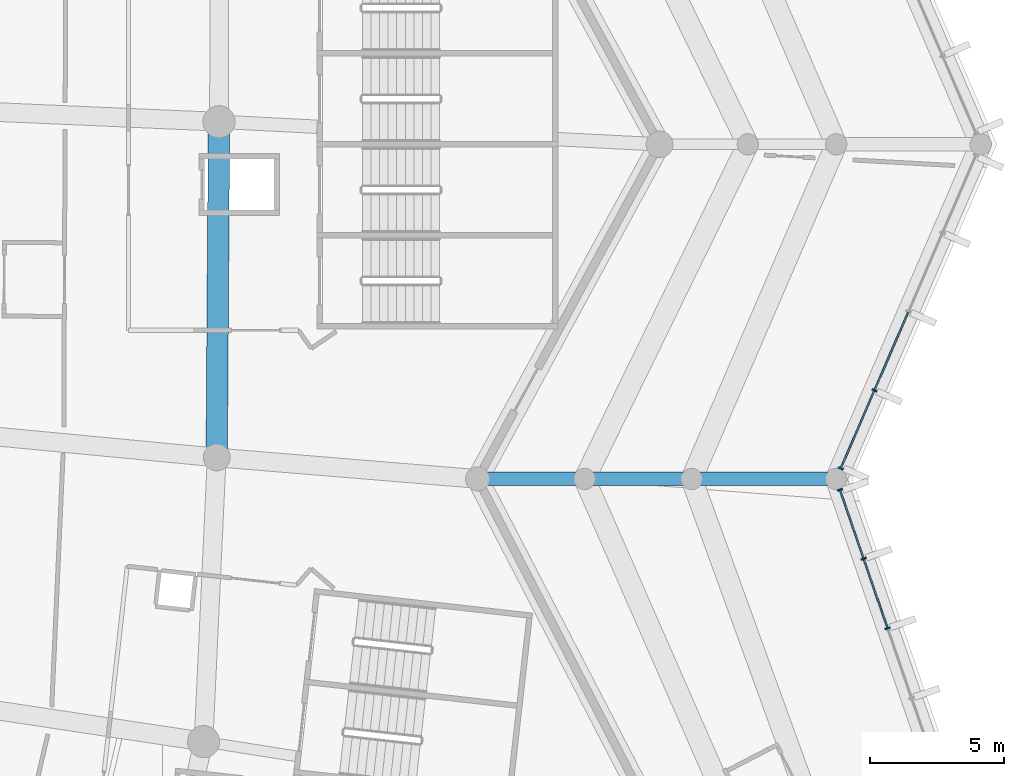
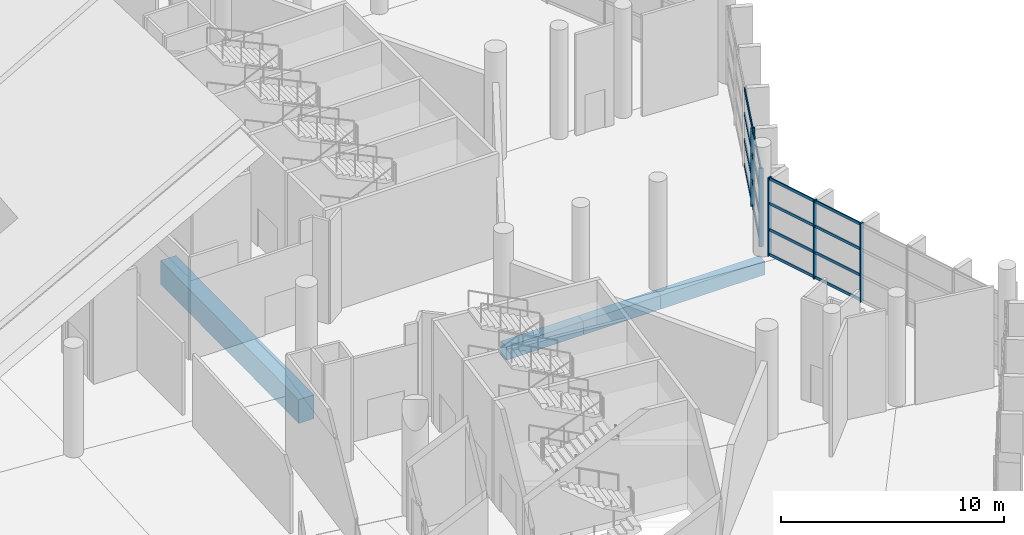
# One storey, part 45 of 249: 21 members, 4 beams, 2 elements without a shape of their own.
"""IFC4 building model written with IfcOpenShell, lengths in metres."""

from ifc_helpers import new_model, si_unit, direction, frame, origin, origin_2d, place, context, subcontext, project, spatial, rectangle, extrude, material, layer, layer_set, material_profile, profile_set, type_object, element, aggregate, save


model = new_model("IFC4")

# Units and contexts
model_context = context("Model", 3, precision=1e-05, world=origin(), true_north=direction((0.0, 1.0)))
body_context = subcontext(model_context, "Body", "Model", "MODEL_VIEW")
ifc_project = project(units=[si_unit("LENGTHUNIT", "METRE"), si_unit("AREAUNIT", "SQUARE_METRE"), si_unit("VOLUMEUNIT", "CUBIC_METRE"), si_unit("PLANEANGLEUNIT", "RADIAN"), si_unit("MASSUNIT", "GRAM", prefix="KILO")], contexts=[model_context])

# Site, building, storey
site_placement = place(None, origin())
site = spatial("IfcSite", under=ifc_project, at=site_placement, CompositionType="ELEMENT")
building_placement = place(site_placement, origin())
building = spatial("IfcBuilding", under=site, at=building_placement, Name="Meseta Stadium", CompositionType="ELEMENT")
storey_placement = place(building_placement, frame((0.0, 0.0, 12.0)))
storey = spatial("IfcBuildingStorey", under=building, at=storey_placement, Name="L02", CompositionType="ELEMENT", Elevation=12.0)

# Beams
ifc_material_1 = material(Name="Concrete C40/50", Category="concrete")
ifc_material_profile_1 = material_profile(ifc_material_1, rectangle(XDim=0.5, YDim=0.75, at=origin_2d()), Name="RC 500x750")
ifc_profile_set_1 = profile_set([ifc_material_profile_1], Name="Concrete C40/50")
beam_type_1 = type_object("IfcBeamType", Name="RC beam 500x750", PredefinedType="BEAM", material=ifc_profile_set_1)
for number, where, z_axis, x_axis, name in (
    (1, (94.60009765625, -43.75, -0.72509765625), (1.0, 0.0, 0.0), (0.0, 1.0, 0.0), "L02 radial beam frame 1 line R to M"),
    (2, (98.60009765625, -43.75, -0.72509765625), (1.0, 0.0, 0.0), (0.0, 1.0, 0.0), "L02 radial beam frame 1 line M to Q"),
):
    element("IfcBeam", number, at=place(storey_placement, frame(where, z_axis=z_axis, x_axis=x_axis)), inside=storey, type_object=beam_type_1, Name=name, PredefinedType="BEAM", context=body_context, shape_type="SweptSolid", body=[
        extrude(rectangle(XDim=0.5, YDim=0.75, at=origin_2d()), origin(), (0.0, 0.0, 1.0), 4.0),
    ])
beam_1_placement = place(storey_placement, frame((102.60009765625, -43.75, -0.72509765625), z_axis=(1.0, 0.0, 0.0), x_axis=(0.0, 1.0, 0.0)))
element("IfcBeam", 3, at=beam_1_placement, inside=storey, type_object=beam_type_1, Name="L02 radial beam frame 1 line Q to O", PredefinedType="BEAM", context=body_context, shape_type="SweptSolid", body=[
    extrude(rectangle(XDim=0.5, YDim=0.75, at=origin_2d()), origin(), (0.0, 0.0, 1.0), 5.39990234375),
])
ifc_material_2 = material(Name="Concrete C40/50", Category="concrete")
ifc_material_profile_2 = material_profile(ifc_material_2, rectangle(XDim=0.800048828125, YDim=1.300048828125, at=origin_2d()), Name="RC 800x1300")
ifc_profile_set_2 = profile_set([ifc_material_profile_2], Name="Concrete C40/50")
beam_type_2 = type_object("IfcBeamType", Name="RC beam 800x1300", PredefinedType="BEAM", material=ifc_profile_set_2)
beam_2_placement = place(storey_placement, frame((84.85400390625, -42.948486328125, -1.0), z_axis=(0.006908869398, 0.999976133477, 0.0), x_axis=(-0.999976133477, 0.006908869398, 0.0)))
element("IfcBeam", 4, at=beam_2_placement, inside=storey, type_object=beam_type_2, Name="L02 ring beam frame 1 line P", PredefinedType="BEAM", context=body_context, shape_type="SweptSolid", body=[
    extrude(rectangle(XDim=0.800048828125, YDim=1.300048828125, at=origin_2d()), origin(), (0.0, 0.0, 1.0), 12.544677734375),
])

# Curtain wall, members
ifc_material_3 = material(Name="Aluminium", Category="aluminium")
ifc_layer = layer(ifc_material_3, 0.199951171875)
ifc_layer_set = layer_set([ifc_layer], Name="Ring shopfront curtain wall")
curtain_wall_type = type_object("IfcCurtainWallType", Name="Ring shopfront curtain wall", PredefinedType="NOTDEFINED", material=ifc_layer_set)
curtain_wall_1_placement = place(storey_placement, origin())
curtain_wall_1 = element("IfcCurtainWall", 5, at=curtain_wall_1_placement, inside=storey, type_object=curtain_wall_type, Name="Ring glazing L02 F00", PredefinedType="NOTDEFINED")
ifc_material_4 = material(Name="Aluminium", Category="aluminium")
ifc_material_profile_3 = material_profile(ifc_material_4, rectangle(XDim=0.199951171875, YDim=0.06005859375, at=origin_2d()), Name="CW 200x60")
ifc_profile_set_3 = profile_set([ifc_material_profile_3], Name="Aluminium")
member_type_1 = type_object("IfcMemberType", Name="Ring CW mullion 60x200", PredefinedType="MULLION", material=ifc_profile_set_3)
member_1_placement = place(storey_placement, frame((109.92138671875, -49.33349609375, 0.0), z_axis=(0.0, 0.0, 1.0), x_axis=(-0.945581280042, -0.325385990532, 0.0)))
member_1 = element("IfcMember", 6, at=member_1_placement, type_object=member_type_1, Name="CWR1 mullion 4", PredefinedType="MULLION", context=body_context, shape_type="SweptSolid", body=[
    extrude(rectangle(XDim=0.199951171875, YDim=0.06005859375, at=origin_2d()), origin(), (0.0, 0.0, 1.0), 4.300048828125),
])
member_2_placement = place(storey_placement, frame((109.02587890625, -46.73095703125, 0.0), z_axis=(0.0, 0.0, 1.0), x_axis=(-0.945581280042, -0.325385990532, 0.0)))
member_2 = element("IfcMember", 7, at=member_2_placement, type_object=member_type_1, Name="CWR1 mullion 5", PredefinedType="MULLION", context=body_context, shape_type="SweptSolid", body=[
    extrude(rectangle(XDim=0.199951171875, YDim=0.06005859375, at=origin_2d()), origin(), (0.0, 0.0, 1.0), 4.300048828125),
])
member_3_placement = place(storey_placement, frame((108.139892578125, -44.156494140625, 0.0), z_axis=(0.0, 0.0, 1.0), x_axis=(-0.945581280042, -0.325385990532, 0.0)))
member_3 = element("IfcMember", 8, at=member_3_placement, type_object=member_type_1, Name="CWR1 mullion 6", PredefinedType="MULLION", context=body_context, shape_type="SweptSolid", body=[
    extrude(rectangle(XDim=0.199951171875, YDim=0.06005859375, at=origin_2d()), origin(), (0.0, 0.0, 1.0), 4.300048828125),
])

curtain_wall_2_placement = place(storey_placement, origin())
curtain_wall_2 = element("IfcCurtainWall", 9, at=curtain_wall_2_placement, inside=storey, type_object=curtain_wall_type, Name="Ring glazing L02 F01", PredefinedType="NOTDEFINED")
member_4_placement = place(storey_placement, frame((108.17041015625, -43.355224609375, 0.0), z_axis=(0.0, 0.0, 1.0), x_axis=(-0.91799986854, 0.396580687073, 0.0)))
member_4 = element("IfcMember", 10, at=member_4_placement, type_object=member_type_1, Name="CWR1 mullion 1", PredefinedType="MULLION", context=body_context, shape_type="SweptSolid", body=[
    extrude(rectangle(XDim=0.199951171875, YDim=0.06005859375, at=origin_2d()), origin(), (0.0, 0.0, 1.0), 4.300048828125),
])
member_5_placement = place(storey_placement, frame((109.42919921875, -40.44140625, 0.0), z_axis=(0.0, 0.0, 1.0), x_axis=(-0.91799986854, 0.396580687073, 0.0)))
member_5 = element("IfcMember", 11, at=member_5_placement, type_object=member_type_1, Name="CWR1 mullion 2", PredefinedType="MULLION", context=body_context, shape_type="SweptSolid", body=[
    extrude(rectangle(XDim=0.199951171875, YDim=0.06005859375, at=origin_2d()), origin(), (0.0, 0.0, 1.0), 4.300048828125),
])

# Member
ifc_material_5 = material(Name="Aluminium", Category="aluminium")
ifc_material_profile_4 = material_profile(ifc_material_5, rectangle(XDim=0.06005859375, YDim=0.14990234375, at=origin_2d()), Name="CW 60x150")
ifc_profile_set_4 = profile_set([ifc_material_profile_4], Name="Aluminium")
member_type_2 = type_object("IfcMemberType", Name="Ring CW transom 60x150", PredefinedType="USERDEFINED", material=ifc_profile_set_4)
member_6_placement = place(storey_placement, frame((109.91162109375, -49.30517578125, 0.074951171875), z_axis=(-0.32535345265, 0.945592476096, 0.0), x_axis=(-0.945592476096, -0.32535345265, 0.0)))
member_6 = element("IfcMember", 12, at=member_6_placement, type_object=member_type_2, Name="CWR1 transom 4.1", ObjectType="TRANSOM", PredefinedType="USERDEFINED", context=body_context, shape_type="SweptSolid", body=[
    extrude(rectangle(XDim=0.06005859375, YDim=0.14990234375, at=origin_2d()), origin(), (0.0, 0.0, 1.0), 2.6923828125),
])

member_7_placement = place(storey_placement, frame((109.91162109375, -49.30517578125, 1.433349609375), z_axis=(-0.32535345265, 0.945592476096, 0.0), x_axis=(-0.945592476096, -0.32535345265, 0.0)))
member_7 = element("IfcMember", 13, at=member_7_placement, type_object=member_type_2, Name="CWR1 transom 4.2", ObjectType="TRANSOM", PredefinedType="USERDEFINED", context=body_context, shape_type="SweptSolid", body=[
    extrude(rectangle(XDim=0.06005859375, YDim=0.14990234375, at=origin_2d()), origin(), (0.0, 0.0, 1.0), 2.6923828125),
])

member_8_placement = place(storey_placement, frame((109.91162109375, -49.30517578125, 2.86669921875), z_axis=(-0.32535345265, 0.945592476096, 0.0), x_axis=(-0.945592476096, -0.32535345265, 0.0)))
member_8 = element("IfcMember", 14, at=member_8_placement, type_object=member_type_2, Name="CWR1 transom 4.3", ObjectType="TRANSOM", PredefinedType="USERDEFINED", context=body_context, shape_type="SweptSolid", body=[
    extrude(rectangle(XDim=0.06005859375, YDim=0.14990234375, at=origin_2d()), origin(), (0.0, 0.0, 1.0), 2.6923828125),
])

member_9_placement = place(storey_placement, frame((109.91162109375, -49.30517578125, 4.22509765625), z_axis=(-0.32535345265, 0.945592476096, 0.0), x_axis=(-0.945592476096, -0.32535345265, 0.0)))
member_9 = element("IfcMember", 15, at=member_9_placement, type_object=member_type_2, Name="CWR1 transom 4.4", ObjectType="TRANSOM", PredefinedType="USERDEFINED", context=body_context, shape_type="SweptSolid", body=[
    extrude(rectangle(XDim=0.06005859375, YDim=0.14990234375, at=origin_2d()), origin(), (0.0, 0.0, 1.0), 2.6923828125),
])

member_10_placement = place(storey_placement, frame((109.01611328125, -46.702392578125, 0.074951171875), z_axis=(-0.325428270426, 0.94556672996, 0.0), x_axis=(-0.94556672996, -0.325428270426, 0.0)))
member_10 = element("IfcMember", 16, at=member_10_placement, type_object=member_type_2, Name="CWR1 transom 5.1", ObjectType="TRANSOM", PredefinedType="USERDEFINED", context=body_context, shape_type="SweptSolid", body=[
    extrude(rectangle(XDim=0.06005859375, YDim=0.14990234375, at=origin_2d()), origin(), (0.0, 0.0, 1.0), 2.66259765625),
])

member_11_placement = place(storey_placement, frame((109.01611328125, -46.702392578125, 1.433349609375), z_axis=(-0.325428270426, 0.94556672996, 0.0), x_axis=(-0.94556672996, -0.325428270426, 0.0)))
member_11 = element("IfcMember", 17, at=member_11_placement, type_object=member_type_2, Name="CWR1 transom 5.2", ObjectType="TRANSOM", PredefinedType="USERDEFINED", context=body_context, shape_type="SweptSolid", body=[
    extrude(rectangle(XDim=0.06005859375, YDim=0.14990234375, at=origin_2d()), origin(), (0.0, 0.0, 1.0), 2.66259765625),
])

member_12_placement = place(storey_placement, frame((109.01611328125, -46.702392578125, 2.86669921875), z_axis=(-0.325428270426, 0.94556672996, 0.0), x_axis=(-0.94556672996, -0.325428270426, 0.0)))
member_12 = element("IfcMember", 18, at=member_12_placement, type_object=member_type_2, Name="CWR1 transom 5.3", ObjectType="TRANSOM", PredefinedType="USERDEFINED", context=body_context, shape_type="SweptSolid", body=[
    extrude(rectangle(XDim=0.06005859375, YDim=0.14990234375, at=origin_2d()), origin(), (0.0, 0.0, 1.0), 2.66259765625),
])

member_13_placement = place(storey_placement, frame((109.01611328125, -46.702392578125, 4.22509765625), z_axis=(-0.325428270426, 0.94556672996, 0.0), x_axis=(-0.94556672996, -0.325428270426, 0.0)))
member_13 = element("IfcMember", 19, at=member_13_placement, type_object=member_type_2, Name="CWR1 transom 5.4", ObjectType="TRANSOM", PredefinedType="USERDEFINED", context=body_context, shape_type="SweptSolid", body=[
    extrude(rectangle(XDim=0.06005859375, YDim=0.14990234375, at=origin_2d()), origin(), (0.0, 0.0, 1.0), 2.66259765625),
])

aggregate(curtain_wall_1, [member_1, member_2, member_3, member_6, member_7, member_8, member_9, member_10, member_11, member_12, member_13])

member_14_placement = place(storey_placement, frame((108.182373046875, -43.32763671875, 0.074951171875), z_axis=(0.396623730244, 0.917981272471, 0.0), x_axis=(-0.917981272471, 0.396623730244, 0.0)))
member_14 = element("IfcMember", 20, at=member_14_placement, type_object=member_type_2, Name="CWR1 transom 1.1", ObjectType="TRANSOM", PredefinedType="USERDEFINED", context=body_context, shape_type="SweptSolid", body=[
    extrude(rectangle(XDim=0.06005859375, YDim=0.14990234375, at=origin_2d()), origin(), (0.0, 0.0, 1.0), 3.114013671875),
])

member_15_placement = place(storey_placement, frame((108.182373046875, -43.32763671875, 1.433349609375), z_axis=(0.396623730244, 0.917981272471, 0.0), x_axis=(-0.917981272471, 0.396623730244, 0.0)))
member_15 = element("IfcMember", 21, at=member_15_placement, type_object=member_type_2, Name="CWR1 transom 1.2", ObjectType="TRANSOM", PredefinedType="USERDEFINED", context=body_context, shape_type="SweptSolid", body=[
    extrude(rectangle(XDim=0.06005859375, YDim=0.14990234375, at=origin_2d()), origin(), (0.0, 0.0, 1.0), 3.114013671875),
])

member_16_placement = place(storey_placement, frame((108.182373046875, -43.32763671875, 2.86669921875), z_axis=(0.396623730244, 0.917981272471, 0.0), x_axis=(-0.917981272471, 0.396623730244, 0.0)))
member_16 = element("IfcMember", 22, at=member_16_placement, type_object=member_type_2, Name="CWR1 transom 1.3", ObjectType="TRANSOM", PredefinedType="USERDEFINED", context=body_context, shape_type="SweptSolid", body=[
    extrude(rectangle(XDim=0.06005859375, YDim=0.14990234375, at=origin_2d()), origin(), (0.0, 0.0, 1.0), 3.114013671875),
])

member_17_placement = place(storey_placement, frame((108.182373046875, -43.32763671875, 4.22509765625), z_axis=(0.396623730244, 0.917981272471, 0.0), x_axis=(-0.917981272471, 0.396623730244, 0.0)))
member_17 = element("IfcMember", 23, at=member_17_placement, type_object=member_type_2, Name="CWR1 transom 1.4", ObjectType="TRANSOM", PredefinedType="USERDEFINED", context=body_context, shape_type="SweptSolid", body=[
    extrude(rectangle(XDim=0.06005859375, YDim=0.14990234375, at=origin_2d()), origin(), (0.0, 0.0, 1.0), 3.114013671875),
])

member_18_placement = place(storey_placement, frame((109.441162109375, -40.413818359375, 0.074951171875), z_axis=(0.396569883564, 0.918004535637, 0.0), x_axis=(-0.918004535637, 0.396569883564, 0.0)))
member_18 = element("IfcMember", 24, at=member_18_placement, type_object=member_type_2, Name="CWR1 transom 2.1", ObjectType="TRANSOM", PredefinedType="USERDEFINED", context=body_context, shape_type="SweptSolid", body=[
    extrude(rectangle(XDim=0.06005859375, YDim=0.14990234375, at=origin_2d()), origin(), (0.0, 0.0, 1.0), 3.14404296875),
])

member_19_placement = place(storey_placement, frame((109.441162109375, -40.413818359375, 1.433349609375), z_axis=(0.396569883564, 0.918004535637, 0.0), x_axis=(-0.918004535637, 0.396569883564, 0.0)))
member_19 = element("IfcMember", 25, at=member_19_placement, type_object=member_type_2, Name="CWR1 transom 2.2", ObjectType="TRANSOM", PredefinedType="USERDEFINED", context=body_context, shape_type="SweptSolid", body=[
    extrude(rectangle(XDim=0.06005859375, YDim=0.14990234375, at=origin_2d()), origin(), (0.0, 0.0, 1.0), 3.14404296875),
])

member_20_placement = place(storey_placement, frame((109.441162109375, -40.413818359375, 2.86669921875), z_axis=(0.396569883564, 0.918004535637, 0.0), x_axis=(-0.918004535637, 0.396569883564, 0.0)))
member_20 = element("IfcMember", 26, at=member_20_placement, type_object=member_type_2, Name="CWR1 transom 2.3", ObjectType="TRANSOM", PredefinedType="USERDEFINED", context=body_context, shape_type="SweptSolid", body=[
    extrude(rectangle(XDim=0.06005859375, YDim=0.14990234375, at=origin_2d()), origin(), (0.0, 0.0, 1.0), 3.14404296875),
])

member_21_placement = place(storey_placement, frame((109.441162109375, -40.413818359375, 4.22509765625), z_axis=(0.396569883564, 0.918004535637, 0.0), x_axis=(-0.918004535637, 0.396569883564, 0.0)))
member_21 = element("IfcMember", 27, at=member_21_placement, type_object=member_type_2, Name="CWR1 transom 2.4", ObjectType="TRANSOM", PredefinedType="USERDEFINED", context=body_context, shape_type="SweptSolid", body=[
    extrude(rectangle(XDim=0.06005859375, YDim=0.14990234375, at=origin_2d()), origin(), (0.0, 0.0, 1.0), 3.14404296875),
])

aggregate(curtain_wall_2, [member_4, member_5, member_14, member_15, member_16, member_17, member_18, member_19, member_20, member_21])

save(model, "model.ifc")
